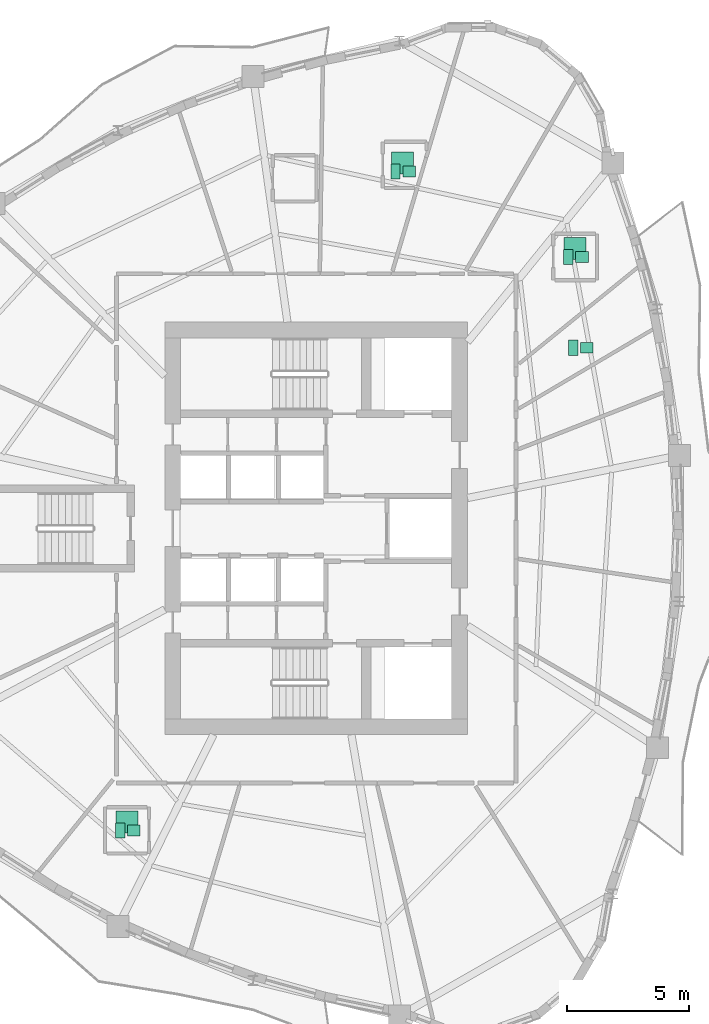
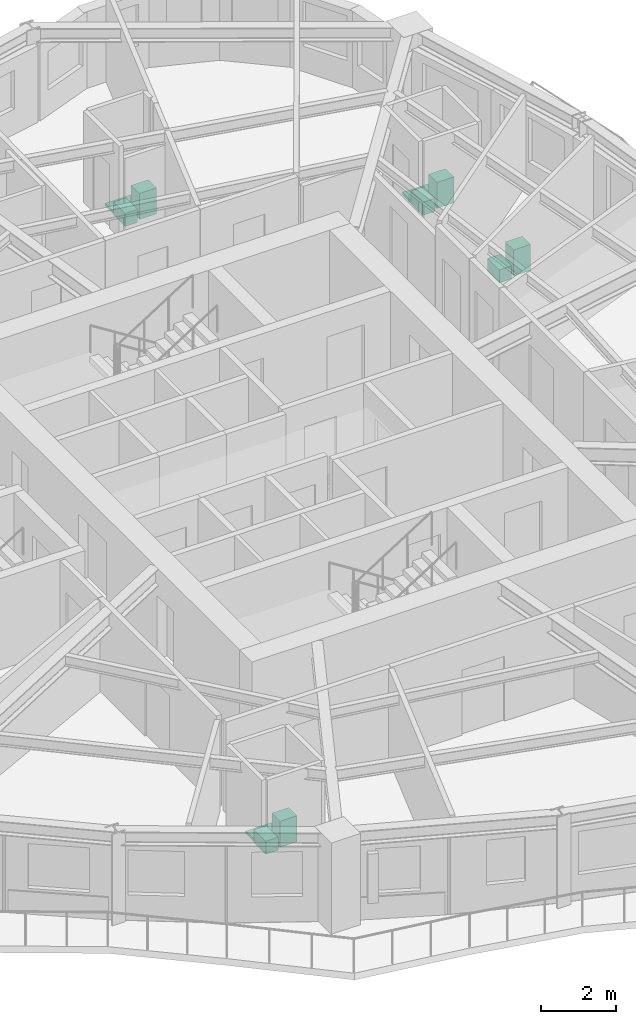
# One storey, part 12 of 12: 11 sanitary terminals.
"""IFC4 building model written with IfcOpenShell, lengths in metres."""

from ifc_helpers import new_model, si_unit, direction, frame, origin, origin_2d, place, context, subcontext, project, spatial, rectangle, extrude, source, transform, mapped, material, type_object, element, save


model = new_model("IFC4")

# Units and contexts
model_context = context("Model", 3, precision=1e-05, world=origin(), true_north=direction((0.0, 1.0)))
body_context = subcontext(model_context, "Body", "Model", "MODEL_VIEW")
ifc_project = project(units=[si_unit("LENGTHUNIT", "METRE"), si_unit("AREAUNIT", "SQUARE_METRE"), si_unit("VOLUMEUNIT", "CUBIC_METRE"), si_unit("PLANEANGLEUNIT", "RADIAN"), si_unit("MASSUNIT", "GRAM", prefix="KILO")], contexts=[model_context])

# Site, building, storey
site_placement = place(None, origin())
site = spatial("IfcSite", under=ifc_project, at=site_placement, CompositionType="ELEMENT")
building_placement = place(site_placement, origin())
building = spatial("IfcBuilding", under=site, at=building_placement, Name="Qafzar Sky-Pleat Residences", CompositionType="ELEMENT")
storey_placement = place(building_placement, frame((0.0, 0.0, 96.0)))
storey = spatial("IfcBuildingStorey", under=building, at=storey_placement, Name="L28", CompositionType="ELEMENT", Elevation=96.0)

# Sanitary terminals
ifc_material_1 = material(Name="Vitreous china sanitaryware")
sanitary_terminal_type_1 = type_object("IfcSanitaryTerminalType", Name="SAN-WC-PAN", PredefinedType="TOILETPAN", material=ifc_material_1)
shared_shape_1 = source(origin(), body_context, "Body", "SweptSolid", [
    extrude(rectangle(XDim=0.3798828125, YDim=0.6201171875, at=origin_2d()), origin(), (0.0, 0.0, 1.0), 0.419921875),
])
for number, where, z_axis, x_axis, name in (
    (1, (22.322998046875, 13.633056640625, 0.0), (0.0, 0.0, 1.0), (1.0, 0.0, 0.0), "L28 En-suite Bathroom 1 WC Pan"),
    (2, (40.877197265625, 33.3984375, 0.0), (0.0, 0.0, 1.0), (1.0, 0.0, 0.0), "L28 Accessible Shared Washroom WC Pan"),
    (3, (40.677978515625, 37.116943359375, 0.0), (0.0, 0.0, 1.0), (1.0, 0.0, 0.0), "L28 En-suite Bathroom 2 WC Pan"),
    (4, (33.59912109375, 40.61669921875, 0.0), (0.0, 0.0, 1.0), (1.0, 0.0, 0.0), "L28 En-suite Bathroom 3 WC Pan"),
):
    element("IfcSanitaryTerminal", number, at=place(storey_placement, frame(where, z_axis=z_axis, x_axis=x_axis)), inside=storey, type_object=sanitary_terminal_type_1, Name=name, PredefinedType="TOILETPAN", context=body_context, shape_type="MappedRepresentation", body=[
        mapped(shared_shape_1, transform((0.0, 0.0, 0.0), x_axis=(1.0, 0.0, 0.0), y_axis=(0.0, 1.0, 0.0), z_axis=(0.0, 0.0, 1.0), scale=1.0)),
    ])
sanitary_terminal_type_2 = type_object("IfcSanitaryTerminalType", Name="SAN-BASIN", PredefinedType="WASHHANDBASIN", material=ifc_material_1)
shared_shape_2 = source(origin(), body_context, "Body", "SweptSolid", [
    extrude(rectangle(XDim=0.52001953125, YDim=0.43994140625, at=origin_2d()), origin(), (0.0, 0.0, 1.0), 0.840087890625),
])
for number, where, z_axis, x_axis, name in (
    (5, (22.883056640625, 13.633056640625, 0.0), (0.0, 0.0, 1.0), (1.0, 0.0, 0.0), "L28 En-suite Bathroom 1 Pedestal Washbasin"),
    (6, (41.437255859375, 33.3984375, 0.0), (0.0, 0.0, 1.0), (1.0, 0.0, 0.0), "L28 Accessible Shared Washroom Pedestal Washbasin"),
    (7, (41.238037109375, 37.116943359375, 0.0), (0.0, 0.0, 1.0), (1.0, 0.0, 0.0), "L28 En-suite Bathroom 2 Pedestal Washbasin"),
    (8, (34.158935546875, 40.61669921875, 0.0), (0.0, 0.0, 1.0), (1.0, 0.0, 0.0), "L28 En-suite Bathroom 3 Pedestal Washbasin"),
):
    element("IfcSanitaryTerminal", number, at=place(storey_placement, frame(where, z_axis=z_axis, x_axis=x_axis)), inside=storey, type_object=sanitary_terminal_type_2, Name=name, PredefinedType="WASHHANDBASIN", context=body_context, shape_type="MappedRepresentation", body=[
        mapped(shared_shape_2, transform((0.0, 0.0, 0.0), x_axis=(1.0, 0.0, 0.0), y_axis=(0.0, 1.0, 0.0), z_axis=(0.0, 0.0, 1.0), scale=1.0)),
    ])
ifc_material_2 = material(Name="Vitreous china and acrylic tray")
sanitary_terminal_type_3 = type_object("IfcSanitaryTerminalType", Name="SAN-SHOWER", PredefinedType="SHOWER", material=ifc_material_2)
shared_shape_3 = source(origin(), body_context, "Body", "SweptSolid", [
    extrude(rectangle(XDim=0.89990234375, YDim=0.89990234375, at=origin_2d()), origin(), (0.0, 0.0, 1.0), 0.080078125),
])
for number, where, z_axis, x_axis, name in (
    (9, (22.60302734375, 13.972900390625, 0.0), (0.0, 0.0, 1.0), (1.0, 0.0, 0.0), "L28 En-suite Bathroom 1 Walk-In Shower"),
    (10, (40.9580078125, 37.45703125, 0.0), (0.0, 0.0, 1.0), (1.0, 0.0, 0.0), "L28 En-suite Bathroom 2 Walk-In Shower"),
    (11, (33.87890625, 40.956787109375, 0.0), (0.0, 0.0, 1.0), (1.0, 0.0, 0.0), "L28 En-suite Bathroom 3 Walk-In Shower"),
):
    element("IfcSanitaryTerminal", number, at=place(storey_placement, frame(where, z_axis=z_axis, x_axis=x_axis)), inside=storey, type_object=sanitary_terminal_type_3, Name=name, PredefinedType="SHOWER", context=body_context, shape_type="MappedRepresentation", body=[
        mapped(shared_shape_3, transform((0.0, 0.0, 0.0), x_axis=(1.0, 0.0, 0.0), y_axis=(0.0, 1.0, 0.0), z_axis=(0.0, 0.0, 1.0), scale=1.0)),
    ])

save(model, "model.ifc")
